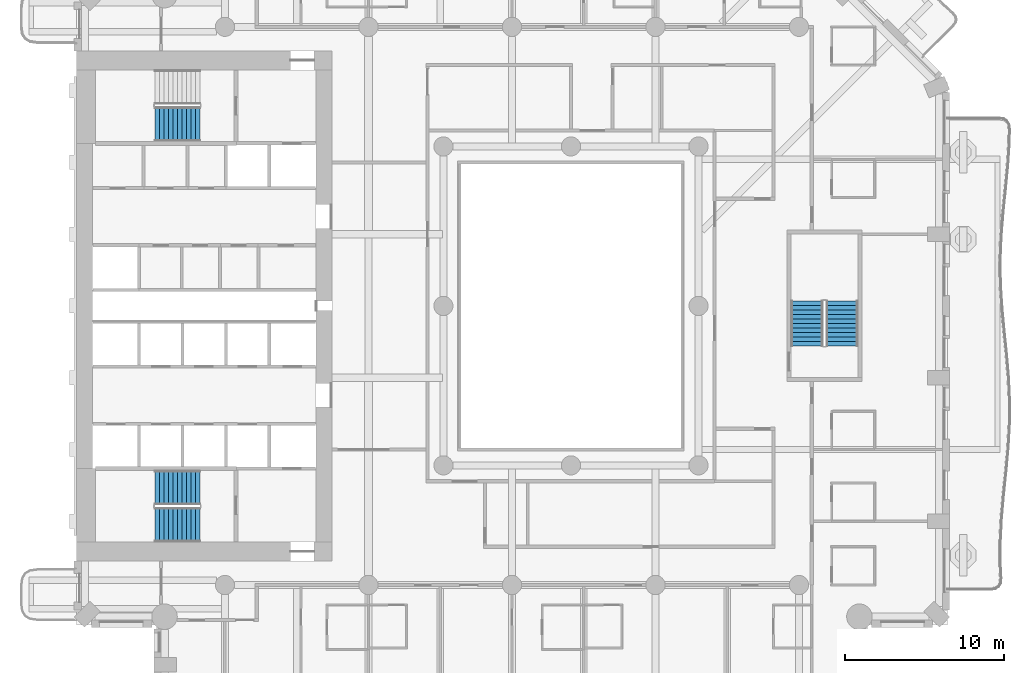
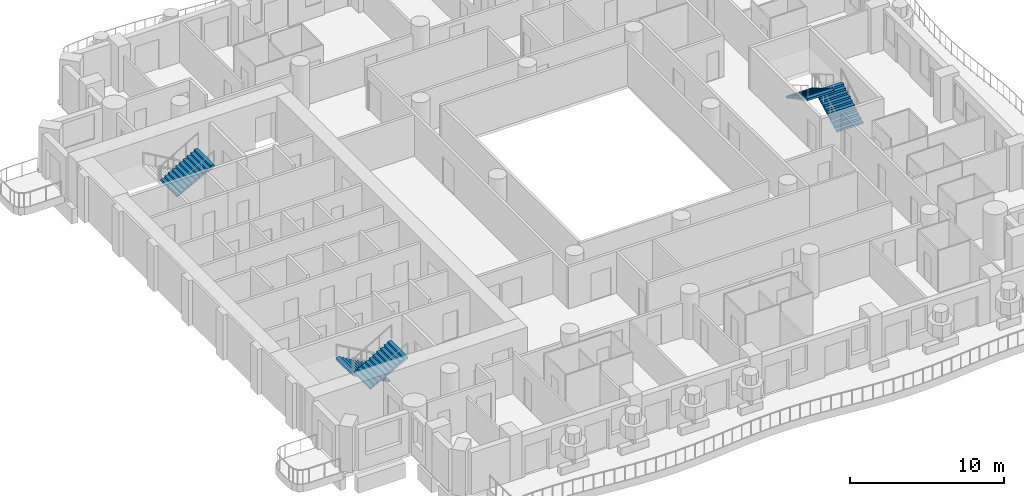
# One storey, part 11 of 20: 5 stair flights, 3 elements without a shape of their own.
"""IFC4 building model written with IfcOpenShell, lengths in metres."""

import ifcopenshell
import ifcopenshell.guid

model = None  # the IFC model being written
_history = None  # IfcOwnerHistory: only IFC2X3 demands one
_inside = {}  # id of a spatial element -> (the spatial element, [elements in it])
_under = {}  # id of a project, library or spatial element -> (it, [spatial elements below it])
_declared = {}  # id of a project -> (the project, [libraries it declares])
_typed = {}  # id of a type object -> (the type object, [elements of that type])
_made_of = {}  # id of a material, layer set ... -> (it, [elements and type objects made of it])


def new_model(schema):
    """Start an empty IFC model of exactly this schema.

    Asked for "IFC4X3", IfcOpenShell would pick the latest addendum, in which some entities
    have other attributes; the version numbers below select the first issue.
    IFC2X3 requires an IfcOwnerHistory on every rooted entity: one is made here for all.
    """
    global model, _history
    if schema == "IFC4X3":
        model = ifcopenshell.file(schema_version=(4, 3, 0, 0))
    else:
        model = ifcopenshell.file(schema=schema)
    _inside.clear()
    _under.clear()
    _declared.clear()
    _typed.clear()
    _made_of.clear()
    _history = None
    if model.schema == "IFC2X3":
        org = make("IfcOrganization", Name="unknown")
        user = make(
            "IfcPersonAndOrganization",
            ThePerson=make("IfcPerson", FamilyName="unknown"),
            TheOrganization=org,
        )
        app = make(
            "IfcApplication",
            ApplicationDeveloper=org,
            Version="unknown",
            ApplicationFullName="unknown",
            ApplicationIdentifier="unknown",
        )
        _history = make(
            "IfcOwnerHistory",
            OwningUser=user,
            OwningApplication=app,
            ChangeAction="ADDED",
            CreationDate=0,
        )
    return model


def make(cls, **values):
    """One entity of the class cls with the attributes given. An attribute that is None is left unset."""
    return model.create_entity(
        cls, **{name: value for name, value in values.items() if value is not None}
    )


def rooted(cls, **values):
    """An entity with a GlobalId (a new one), such as an element, a storey or a relation."""
    return make(cls, GlobalId=ifcopenshell.guid.new(), OwnerHistory=_history, **values)


def si_unit(unit_type, name, prefix=None):
    """IfcSIUnit, for example si_unit("LENGTHUNIT", "METRE", prefix="MILLI")."""
    return make("IfcSIUnit", UnitType=unit_type, Prefix=prefix, Name=name)


def assignment(units):
    """IfcUnitAssignment: the units of a project."""
    return None if units is None else make("IfcUnitAssignment", Units=units)


def point(xyz):
    """IfcCartesianPoint."""
    return None if xyz is None else make("IfcCartesianPoint", Coordinates=xyz)


def direction(xyz):
    """IfcDirection."""
    return None if xyz is None else make("IfcDirection", DirectionRatios=xyz)


def frame(location, z_axis=None, x_axis=None):
    """IfcAxis2Placement3D, a coordinate frame: its origin and axes. An axis left out is left unset."""
    return make(
        "IfcAxis2Placement3D",
        Location=point(location),
        Axis=direction(z_axis),
        RefDirection=direction(x_axis),
    )


def origin():
    """The frame at (0, 0, 0) with its axes left unset."""
    return frame((0.0, 0.0, 0.0))


def place(relative_to, where):
    """IfcLocalPlacement: puts the frame where relative to a parent placement (None: the world)."""
    return make(
        "IfcLocalPlacement", PlacementRelTo=relative_to, RelativePlacement=where
    )


def context(
    kind, dimensions, precision=None, world=None, true_north=None, identifier=None
):
    """IfcGeometricRepresentationContext, for example the 3D "Model" context."""
    return make(
        "IfcGeometricRepresentationContext",
        ContextIdentifier=identifier,
        ContextType=kind,
        CoordinateSpaceDimension=dimensions,
        Precision=precision,
        WorldCoordinateSystem=world,
        TrueNorth=true_north,
    )


def subcontext(parent, identifier, kind, view, scale=None):
    """IfcGeometricRepresentationSubContext, for example "Body" below "Model"."""
    return make(
        "IfcGeometricRepresentationSubContext",
        ContextIdentifier=identifier,
        ContextType=kind,
        ParentContext=parent,
        TargetScale=scale,
        TargetView=view,
    )


def project(units=None, contexts=None):
    """IfcProject with its units and contexts."""
    return rooted(
        "IfcProject",
        Name="project",
        RepresentationContexts=contexts,
        UnitsInContext=assignment(units),
    )


def spatial(cls, under=None, at=None, **own):
    """A site, building, storey or space (cls), placed at a placement, below another one or the project."""
    s = rooted(cls, ObjectPlacement=at, **own)
    if under is not None:
        _under.setdefault(under.id(), (under, []))[1].append(s)
    return s


def point_list(points):
    """IfcCartesianPointList2D or 3D."""
    cls = (
        "IfcCartesianPointList2D" if len(points[0]) == 2 else "IfcCartesianPointList3D"
    )
    return make(cls, CoordList=points)


def triangles(points, corners, closed=None, point_numbers=None):
    """IfcTriangulatedFaceSet: each triangle names its three corners, points numbered from 1."""
    return make(
        "IfcTriangulatedFaceSet",
        Coordinates=point_list(points),
        Closed=closed,
        CoordIndex=corners,
        PnIndex=point_numbers,
    )


def shape(context_of_items, identifier, shape_type, items):
    """IfcShapeRepresentation: the items that make up one representation, for example the "Body"."""
    return make(
        "IfcShapeRepresentation",
        ContextOfItems=context_of_items,
        RepresentationIdentifier=identifier,
        RepresentationType=shape_type,
        Items=items,
    )


def material(Name=None, Category=None):
    """IfcMaterial."""
    return make("IfcMaterial", Name=Name, Category=Category)


def made_of(thing, what):
    """Note that an element or type object is made of a material, layer set ...; save() writes the relation."""
    if what is not None:
        _made_of.setdefault(what.id(), (what, []))[1].append(thing)
    return thing


def type_object(cls, material=None, **own):
    """A type object (cls), such as IfcWallType, which elements share."""
    return made_of(rooted(cls, **own), material)


def element(
    cls,
    number,
    at=None,
    inside=None,
    cuts=None,
    type_object=None,
    material=None,
    context=None,
    identifier="Body",
    shape_type=None,
    held_by="IfcProductDefinitionShape",
    body=None,
    shapes=None,
    **own,
):
    """One element of the class cls, such as IfcWall. Its Tag is "e" and its number.

    at: its placement. inside: the storey or other place that contains it. cuts: it is an
    opening in that element (IfcRelVoidsElement). A single representation is given by context,
    identifier, shape_type and body (its items); several are given by shapes. held_by: the class
    of the entity that holds the representations. save() writes the other relations.
    """
    e = rooted(cls, Tag="e%d" % number, ObjectPlacement=at, **own)
    if body is not None:
        shapes = [shape(context, identifier, shape_type, body)]
    if shapes is not None:
        e.Representation = make(held_by, Representations=shapes)
    if inside is not None:
        _inside.setdefault(inside.id(), (inside, []))[1].append(e)
    if cuts is not None:
        rooted(
            "IfcRelVoidsElement", RelatingBuildingElement=cuts, RelatedOpeningElement=e
        )
    if type_object is not None:
        _typed.setdefault(type_object.id(), (type_object, []))[1].append(e)
    return made_of(e, material)


def aggregate(whole, parts):
    """IfcRelAggregates: a whole, such as a stair, and the parts it consists of."""
    return rooted("IfcRelAggregates", RelatingObject=whole, RelatedObjects=parts)


def save(model, path):
    """Write the relations noted so far, then the file.

    IfcRelAggregates (storeys below a building ...), IfcRelContainedInSpatialStructure (elements
    in a storey), IfcRelDefinesByType, IfcRelAssociatesMaterial and IfcRelDeclares: one each for
    every whole, place, type object, material and project.
    """
    for whole, parts in _under.values():
        aggregate(whole, parts)
    for where, things in _inside.values():
        rooted(
            "IfcRelContainedInSpatialStructure",
            RelatedElements=things,
            RelatingStructure=where,
        )
    for kind, things in _typed.values():
        rooted("IfcRelDefinesByType", RelatedObjects=things, RelatingType=kind)
    for what, things in _made_of.values():
        rooted("IfcRelAssociatesMaterial", RelatedObjects=things, RelatingMaterial=what)
    for by, libraries in _declared.values():
        rooted("IfcRelDeclares", RelatingContext=by, RelatedDefinitions=libraries)
    model.write(path)


model = new_model("IFC4")

# Units and contexts
model_context = context("Model", 3, precision=1e-05, world=origin(), true_north=direction((0.0, 1.0)))
body_context = subcontext(model_context, "Body", "Model", "MODEL_VIEW")
ifc_project = project(units=[si_unit("LENGTHUNIT", "METRE"), si_unit("AREAUNIT", "SQUARE_METRE"), si_unit("VOLUMEUNIT", "CUBIC_METRE"), si_unit("PLANEANGLEUNIT", "RADIAN"), si_unit("MASSUNIT", "GRAM", prefix="KILO")], contexts=[model_context])

# Site, building, storey
site_placement = place(None, origin())
site = spatial("IfcSite", under=ifc_project, at=site_placement, CompositionType="ELEMENT")
building_placement = place(site_placement, origin())
building = spatial("IfcBuilding", under=site, at=building_placement, Name="Cypress Arch Tower", CompositionType="ELEMENT")
storey_placement = place(building_placement, frame((0.0, 0.0, 84.300048828125)))
storey = spatial("IfcBuildingStorey", under=building, at=storey_placement, Name="L15", CompositionType="ELEMENT", Elevation=84.300048828125)

# Stair, stair flights
ifc_material_1 = material(Name="Concrete C40/50", Category="concrete")
stair_type_1 = type_object("IfcStairType", Name="Exit stair ES1636-200", PredefinedType="HALF_TURN_STAIR", material=ifc_material_1)
stair_1_placement = place(storey_placement, origin())
stair_1 = element("IfcStair", 1, at=stair_1_placement, inside=storey, type_object=stair_type_1, Name="L15 Exit stair C", PredefinedType="HALF_TURN_STAIR")
ifc_material_2 = material(Name="Concrete C40/50", Category="concrete")
stair_flight_type_1 = type_object("IfcStairFlightType", Name="Exit stair flight ES1636-200", PredefinedType="STRAIGHT", material=ifc_material_2)
stair_flight_1_placement = place(storey_placement, frame((18.0, -2.5, 0.0), z_axis=(0.0, 0.0, 1.0), x_axis=(0.0, 1.0, 0.0)))
stair_flight_1 = element("IfcStairFlight", 2, at=stair_flight_1_placement, type_object=stair_flight_type_1, Name="C flight 1", NumberOfRisers=11, NumberOfTreads=10, PredefinedType="STRAIGHT", RiserHeight=0.163636364, TreadLength=0.28, context=body_context, shape_type="Tessellation", body=[
    triangles([(0.0, -1.0, 0.0), (0.00048828125, -1.0, 0.054443359375), (0.00048828125, -1.0, 0.109130859375), (0.0, -1.0, 0.16357421875), (0.280029296875, -1.0, 0.16357421875), (0.280029296875, -1.0, 0.327392578125), (0.56005859375, -1.0, 0.327392578125), (0.56005859375, -1.0, 0.490966796875), (0.840087890625, -1.0, 0.490966796875), (0.840087890625, -1.0, 0.654541015625), (1.1201171875, -1.0, 0.654541015625), (1.1201171875, -1.0, 0.818115234375), (1.39990234375, -1.0, 0.818115234375), (1.39990234375, -1.0, 0.98193359375), (1.679931640625, -1.0, 0.98193359375), (1.679931640625, -1.0, 1.1455078125), (1.9599609375, -1.0, 1.1455078125), (1.9599609375, -1.0, 1.30908203125), (2.239990234375, -1.0, 1.30908203125), (2.239990234375, -1.0, 1.47265625), (2.52001953125, -1.0, 1.47265625), (2.52001953125, -1.0, 1.636474609375), (2.800048828125, -1.0, 1.636474609375), (2.799560546875, -1.0, 1.57861328125), (2.799560546875, -1.0, 1.5205078125), (2.800048828125, -1.0, 1.462646484375), (2.800048828125, 1.0, 1.462646484375), (2.799560546875, 1.0, 1.5205078125), (2.799560546875, 1.0, 1.57861328125), (2.800048828125, 1.0, 1.636474609375), (2.52001953125, 1.0, 1.636474609375), (2.52001953125, 1.0, 1.47265625), (2.239990234375, 1.0, 1.47265625), (2.239990234375, 1.0, 1.30908203125), (1.9599609375, 1.0, 1.30908203125), (1.9599609375, 1.0, 1.1455078125), (1.679931640625, 1.0, 1.1455078125), (1.679931640625, 1.0, 0.98193359375), (1.39990234375, 1.0, 0.98193359375), (1.39990234375, 1.0, 0.818115234375), (1.1201171875, 1.0, 0.818115234375), (1.1201171875, 1.0, 0.654541015625), (0.840087890625, 1.0, 0.654541015625), (0.840087890625, 1.0, 0.490966796875), (0.56005859375, 1.0, 0.490966796875), (0.56005859375, 1.0, 0.327392578125), (0.280029296875, 1.0, 0.327392578125), (0.280029296875, 1.0, 0.16357421875), (0.0, 1.0, 0.16357421875), (0.00048828125, 1.0, 0.109130859375), (0.00048828125, 1.0, 0.054443359375), (0.0, 1.0, 0.0), (2.799560546875, 0.0, 1.5205078125), (2.800048828125, 0.0, 1.462646484375), (2.799560546875, 0.0, 1.57861328125), (2.800048828125, 0.0, 1.636474609375), (2.52001953125, 0.0, 1.636474609375), (2.52001953125, 0.0, 1.47265625), (2.239990234375, 0.0, 1.47265625), (2.239990234375, 0.0, 1.30908203125), (1.9599609375, 0.0, 1.30908203125), (1.9599609375, 0.0, 1.1455078125), (1.679931640625, 0.0, 1.1455078125), (1.679931640625, 0.0, 0.98193359375), (1.39990234375, 0.0, 0.98193359375), (1.39990234375, 0.0, 0.818115234375), (1.1201171875, 0.0, 0.818115234375), (1.1201171875, 0.0, 0.654541015625), (0.840087890625, 0.0, 0.654541015625), (0.840087890625, 0.0, 0.490966796875), (0.56005859375, 0.0, 0.490966796875), (0.56005859375, 0.0, 0.327392578125), (0.280029296875, 0.0, 0.327392578125), (0.280029296875, 0.0, 0.16357421875), (0.0, 0.0, 0.16357421875), (0.00048828125, 0.0, 0.109130859375), (0.00048828125, 0.0, 0.054443359375), (0.0, 0.0, 0.0)], [[26, 25, 22], [25, 24, 22], [24, 23, 22], [15, 14, 13], [7, 6, 5], [13, 12, 11], [21, 20, 19], [19, 18, 17], [17, 16, 15], [11, 10, 9], [9, 8, 7], [4, 3, 5], [3, 2, 5], [2, 1, 5], [26, 22, 21], [26, 21, 19], [26, 19, 17], [26, 17, 15], [26, 15, 13], [26, 13, 11], [26, 11, 9], [26, 9, 7], [26, 7, 5], [26, 5, 1], [27, 31, 28], [28, 31, 29], [29, 31, 30], [38, 40, 39], [46, 48, 47], [40, 42, 41], [32, 34, 33], [34, 36, 35], [36, 38, 37], [42, 44, 43], [44, 46, 45], [49, 48, 50], [50, 48, 51], [51, 48, 52], [27, 32, 31], [27, 34, 32], [27, 36, 34], [27, 38, 36], [27, 40, 38], [27, 42, 40], [27, 44, 42], [27, 46, 44], [27, 48, 46], [27, 52, 48], [54, 53, 25], [54, 25, 26], [27, 28, 53], [27, 53, 54], [53, 55, 24], [53, 24, 25], [28, 29, 55], [28, 55, 53], [55, 56, 23], [55, 23, 24], [29, 30, 56], [29, 56, 55], [56, 57, 22], [56, 22, 23], [30, 31, 57], [30, 57, 56], [57, 58, 21], [57, 21, 22], [31, 32, 58], [31, 58, 57], [58, 59, 20], [58, 20, 21], [32, 33, 59], [32, 59, 58], [59, 60, 19], [59, 19, 20], [33, 34, 60], [33, 60, 59], [60, 61, 18], [60, 18, 19], [34, 35, 61], [34, 61, 60], [61, 62, 17], [61, 17, 18], [35, 36, 62], [35, 62, 61], [62, 63, 16], [62, 16, 17], [36, 37, 63], [36, 63, 62], [63, 64, 15], [63, 15, 16], [37, 38, 64], [37, 64, 63], [64, 65, 14], [64, 14, 15], [38, 39, 65], [38, 65, 64], [65, 66, 13], [65, 13, 14], [39, 40, 66], [39, 66, 65], [66, 67, 12], [66, 12, 13], [40, 41, 67], [40, 67, 66], [67, 68, 11], [67, 11, 12], [41, 42, 68], [41, 68, 67], [68, 69, 10], [68, 10, 11], [42, 43, 69], [42, 69, 68], [69, 70, 9], [69, 9, 10], [43, 44, 70], [43, 70, 69], [70, 71, 8], [70, 8, 9], [44, 45, 71], [44, 71, 70], [71, 72, 7], [71, 7, 8], [45, 46, 72], [45, 72, 71], [72, 73, 6], [72, 6, 7], [46, 47, 73], [46, 73, 72], [73, 74, 5], [73, 5, 6], [47, 48, 74], [47, 74, 73], [74, 75, 4], [74, 4, 5], [48, 49, 75], [48, 75, 74], [75, 76, 3], [75, 3, 4], [49, 50, 76], [49, 76, 75], [76, 77, 2], [76, 2, 3], [50, 51, 77], [50, 77, 76], [77, 78, 1], [77, 1, 2], [51, 52, 78], [51, 78, 77], [78, 54, 26], [78, 26, 1], [52, 27, 54], [52, 54, 78]], closed=True),
])
stair_flight_2_placement = place(storey_placement, frame((15.800048828125, 0.300048828125, 1.800048828125), z_axis=(0.0, 0.0, 1.0), x_axis=(0.0, -1.0, 0.0)))
stair_flight_2 = element("IfcStairFlight", 3, at=stair_flight_2_placement, type_object=stair_flight_type_1, Name="C flight 2", NumberOfRisers=11, NumberOfTreads=10, PredefinedType="STRAIGHT", RiserHeight=0.163636364, TreadLength=0.28, context=body_context, shape_type="Tessellation", body=[
    triangles([(0.0, -1.0, 0.0), (0.00048828125, -1.0, 0.054443359375), (0.00048828125, -1.0, 0.109130859375), (0.0, -1.0, 0.16357421875), (0.280029296875, -1.0, 0.16357421875), (0.280029296875, -1.0, 0.327392578125), (0.56005859375, -1.0, 0.327392578125), (0.56005859375, -1.0, 0.490966796875), (0.840087890625, -1.0, 0.490966796875), (0.840087890625, -1.0, 0.654541015625), (1.1201171875, -1.0, 0.654541015625), (1.1201171875, -1.0, 0.818115234375), (1.39990234375, -1.0, 0.818115234375), (1.39990234375, -1.0, 0.98193359375), (1.679931640625, -1.0, 0.98193359375), (1.679931640625, -1.0, 1.1455078125), (1.9599609375, -1.0, 1.1455078125), (1.9599609375, -1.0, 1.30908203125), (2.239990234375, -1.0, 1.30908203125), (2.239990234375, -1.0, 1.47265625), (2.52001953125, -1.0, 1.47265625), (2.52001953125, -1.0, 1.636474609375), (2.800048828125, -1.0, 1.636474609375), (2.799560546875, -1.0, 1.57861328125), (2.799560546875, -1.0, 1.5205078125), (2.800048828125, -1.0, 1.462646484375), (2.800048828125, 1.0, 1.462646484375), (2.799560546875, 1.0, 1.5205078125), (2.799560546875, 1.0, 1.57861328125), (2.800048828125, 1.0, 1.636474609375), (2.52001953125, 1.0, 1.636474609375), (2.52001953125, 1.0, 1.47265625), (2.239990234375, 1.0, 1.47265625), (2.239990234375, 1.0, 1.30908203125), (1.9599609375, 1.0, 1.30908203125), (1.9599609375, 1.0, 1.1455078125), (1.679931640625, 1.0, 1.1455078125), (1.679931640625, 1.0, 0.98193359375), (1.39990234375, 1.0, 0.98193359375), (1.39990234375, 1.0, 0.818115234375), (1.1201171875, 1.0, 0.818115234375), (1.1201171875, 1.0, 0.654541015625), (0.840087890625, 1.0, 0.654541015625), (0.840087890625, 1.0, 0.490966796875), (0.56005859375, 1.0, 0.490966796875), (0.56005859375, 1.0, 0.327392578125), (0.280029296875, 1.0, 0.327392578125), (0.280029296875, 1.0, 0.16357421875), (0.0, 1.0, 0.16357421875), (0.00048828125, 1.0, 0.109130859375), (0.00048828125, 1.0, 0.054443359375), (0.0, 1.0, 0.0), (2.799560546875, 0.0, 1.5205078125), (2.800048828125, 0.0, 1.462646484375), (2.799560546875, 0.0, 1.57861328125), (2.800048828125, 0.0, 1.636474609375), (2.52001953125, 0.0, 1.636474609375), (2.52001953125, 0.0, 1.47265625), (2.239990234375, 0.0, 1.47265625), (2.239990234375, 0.0, 1.30908203125), (1.9599609375, 0.0, 1.30908203125), (1.9599609375, 0.0, 1.1455078125), (1.679931640625, 0.0, 1.1455078125), (1.679931640625, 0.0, 0.98193359375), (1.39990234375, 0.0, 0.98193359375), (1.39990234375, 0.0, 0.818115234375), (1.1201171875, 0.0, 0.818115234375), (1.1201171875, 0.0, 0.654541015625), (0.840087890625, 0.0, 0.654541015625), (0.840087890625, 0.0, 0.490966796875), (0.56005859375, 0.0, 0.490966796875), (0.56005859375, 0.0, 0.327392578125), (0.280029296875, 0.0, 0.327392578125), (0.280029296875, 0.0, 0.16357421875), (0.0, 0.0, 0.16357421875), (0.00048828125, 0.0, 0.109130859375), (0.00048828125, 0.0, 0.054443359375), (0.0, 0.0, 0.0)], [[26, 25, 22], [25, 24, 22], [24, 23, 22], [15, 14, 13], [7, 6, 5], [13, 12, 11], [21, 20, 19], [19, 18, 17], [17, 16, 15], [11, 10, 9], [9, 8, 7], [4, 3, 5], [3, 2, 5], [2, 1, 5], [26, 22, 21], [26, 21, 19], [26, 19, 17], [26, 17, 15], [26, 15, 13], [26, 13, 11], [26, 11, 9], [26, 9, 7], [26, 7, 5], [26, 5, 1], [27, 31, 28], [28, 31, 29], [29, 31, 30], [38, 40, 39], [46, 48, 47], [40, 42, 41], [32, 34, 33], [34, 36, 35], [36, 38, 37], [42, 44, 43], [44, 46, 45], [49, 48, 50], [50, 48, 51], [51, 48, 52], [27, 32, 31], [27, 34, 32], [27, 36, 34], [27, 38, 36], [27, 40, 38], [27, 42, 40], [27, 44, 42], [27, 46, 44], [27, 48, 46], [27, 52, 48], [54, 53, 25], [54, 25, 26], [27, 28, 53], [27, 53, 54], [53, 55, 24], [53, 24, 25], [28, 29, 55], [28, 55, 53], [55, 56, 23], [55, 23, 24], [29, 30, 56], [29, 56, 55], [56, 57, 22], [56, 22, 23], [30, 31, 57], [30, 57, 56], [57, 58, 21], [57, 21, 22], [31, 32, 58], [31, 58, 57], [58, 59, 20], [58, 20, 21], [32, 33, 59], [32, 59, 58], [59, 60, 19], [59, 19, 20], [33, 34, 60], [33, 60, 59], [60, 61, 18], [60, 18, 19], [34, 35, 61], [34, 61, 60], [61, 62, 17], [61, 17, 18], [35, 36, 62], [35, 62, 61], [62, 63, 16], [62, 16, 17], [36, 37, 63], [36, 63, 62], [63, 64, 15], [63, 15, 16], [37, 38, 64], [37, 64, 63], [64, 65, 14], [64, 14, 15], [38, 39, 65], [38, 65, 64], [65, 66, 13], [65, 13, 14], [39, 40, 66], [39, 66, 65], [66, 67, 12], [66, 12, 13], [40, 41, 67], [40, 67, 66], [67, 68, 11], [67, 11, 12], [41, 42, 68], [41, 68, 67], [68, 69, 10], [68, 10, 11], [42, 43, 69], [42, 69, 68], [69, 70, 9], [69, 9, 10], [43, 44, 70], [43, 70, 69], [70, 71, 8], [70, 8, 9], [44, 45, 71], [44, 71, 70], [71, 72, 7], [71, 7, 8], [45, 46, 72], [45, 72, 71], [72, 73, 6], [72, 6, 7], [46, 47, 73], [46, 73, 72], [73, 74, 5], [73, 5, 6], [47, 48, 74], [47, 74, 73], [74, 75, 4], [74, 4, 5], [48, 49, 75], [48, 75, 74], [75, 76, 3], [75, 3, 4], [49, 50, 76], [49, 76, 75], [76, 77, 2], [76, 2, 3], [50, 51, 77], [50, 77, 76], [77, 78, 1], [77, 1, 2], [51, 52, 78], [51, 78, 77], [78, 54, 26], [78, 26, 1], [52, 27, 54], [52, 54, 78]], closed=True),
])
aggregate(stair_1, [stair_flight_1, stair_flight_2])

ifc_material_3 = material(Name="Concrete C40/50", Category="concrete")
stair_type_2 = type_object("IfcStairType", Name="Exit stair ES1636-215", PredefinedType="HALF_TURN_STAIR", material=ifc_material_3)
stair_2_placement = place(storey_placement, origin())
stair_2 = element("IfcStair", 4, at=stair_2_placement, inside=storey, type_object=stair_type_2, Name="L15 Exit stair A", PredefinedType="HALF_TURN_STAIR")
ifc_material_4 = material(Name="Concrete C40/50", Category="concrete")
stair_flight_type_2 = type_object("IfcStairFlightType", Name="Exit stair flight ES1636-215", PredefinedType="STRAIGHT", material=ifc_material_4)
stair_flight_3_placement = place(storey_placement, frame((-22.27490234375, -11.39990234375, 0.0), z_axis=(0.0, 0.0, 1.0), x_axis=(-1.0, 0.0, 0.0)))
stair_flight_3 = element("IfcStairFlight", 5, at=stair_flight_3_placement, type_object=stair_flight_type_2, Name="A flight 1", NumberOfRisers=11, NumberOfTreads=10, PredefinedType="STRAIGHT", RiserHeight=0.163636364, TreadLength=0.28, context=body_context, shape_type="Tessellation", body=[
    triangles([(0.0, -1.074951171875, 0.0), (0.000244140625, -1.074951171875, 0.03271484375), (0.00048828125, -1.074951171875, 0.0654296875), (0.00048828125, -1.074951171875, 0.09814453125), (0.000244140625, -1.074951171875, 0.130859375), (0.0, -1.074951171875, 0.16357421875), (0.280029296875, -1.074951171875, 0.16357421875), (0.280029296875, -1.074951171875, 0.327392578125), (0.56005859375, -1.074951171875, 0.327392578125), (0.56005859375, -1.074951171875, 0.490966796875), (0.840087890625, -1.074951171875, 0.490966796875), (0.840087890625, -1.074951171875, 0.654541015625), (1.1201171875, -1.074951171875, 0.654541015625), (1.1201171875, -1.074951171875, 0.818115234375), (1.39990234375, -1.074951171875, 0.818115234375), (1.39990234375, -1.074951171875, 0.98193359375), (1.679931640625, -1.074951171875, 0.98193359375), (1.679931640625, -1.074951171875, 1.1455078125), (1.9599609375, -1.074951171875, 1.1455078125), (1.9599609375, -1.074951171875, 1.30908203125), (2.239990234375, -1.074951171875, 1.30908203125), (2.239990234375, -1.074951171875, 1.47265625), (2.52001953125, -1.074951171875, 1.47265625), (2.52001953125, -1.074951171875, 1.636474609375), (2.800048828125, -1.074951171875, 1.636474609375), (2.7998046875, -1.074951171875, 1.601806640625), (2.799560546875, -1.074951171875, 1.56689453125), (2.799560546875, -1.074951171875, 1.5322265625), (2.7998046875, -1.074951171875, 1.497314453125), (2.800048828125, -1.074951171875, 1.462646484375), (2.800048828125, 1.074951171875, 1.462646484375), (2.7998046875, 1.074951171875, 1.497314453125), (2.799560546875, 1.074951171875, 1.5322265625), (2.799560546875, 1.074951171875, 1.56689453125), (2.7998046875, 1.074951171875, 1.601806640625), (2.800048828125, 1.074951171875, 1.636474609375), (2.52001953125, 1.074951171875, 1.636474609375), (2.52001953125, 1.074951171875, 1.47265625), (2.239990234375, 1.074951171875, 1.47265625), (2.239990234375, 1.074951171875, 1.30908203125), (1.9599609375, 1.074951171875, 1.30908203125), (1.9599609375, 1.074951171875, 1.1455078125), (1.679931640625, 1.074951171875, 1.1455078125), (1.679931640625, 1.074951171875, 0.98193359375), (1.39990234375, 1.074951171875, 0.98193359375), (1.39990234375, 1.074951171875, 0.818115234375), (1.1201171875, 1.074951171875, 0.818115234375), (1.1201171875, 1.074951171875, 0.654541015625), (0.840087890625, 1.074951171875, 0.654541015625), (0.840087890625, 1.074951171875, 0.490966796875), (0.56005859375, 1.074951171875, 0.490966796875), (0.56005859375, 1.074951171875, 0.327392578125), (0.280029296875, 1.074951171875, 0.327392578125), (0.280029296875, 1.074951171875, 0.16357421875), (0.0, 1.074951171875, 0.16357421875), (0.000244140625, 1.074951171875, 0.130859375), (0.00048828125, 1.074951171875, 0.09814453125), (0.00048828125, 1.074951171875, 0.0654296875), (0.000244140625, 1.074951171875, 0.03271484375), (0.0, 1.074951171875, 0.0), (2.7998046875, 0.0, 1.497314453125), (2.800048828125, 0.0, 1.462646484375), (2.799560546875, 0.0, 1.5322265625), (2.799560546875, 0.0, 1.56689453125), (2.7998046875, 0.0, 1.601806640625), (2.800048828125, 0.0, 1.636474609375), (2.52001953125, 0.0, 1.636474609375), (2.52001953125, 0.0, 1.47265625), (2.239990234375, 0.0, 1.47265625), (2.239990234375, 0.0, 1.30908203125), (1.9599609375, 0.0, 1.30908203125), (1.9599609375, 0.0, 1.1455078125), (1.679931640625, 0.0, 1.1455078125), (1.679931640625, 0.0, 0.98193359375), (1.39990234375, 0.0, 0.98193359375), (1.39990234375, 0.0, 0.818115234375), (1.1201171875, 0.0, 0.818115234375), (1.1201171875, 0.0, 0.654541015625), (0.840087890625, 0.0, 0.654541015625), (0.840087890625, 0.0, 0.490966796875), (0.56005859375, 0.0, 0.490966796875), (0.56005859375, 0.0, 0.327392578125), (0.280029296875, 0.0, 0.327392578125), (0.280029296875, 0.0, 0.16357421875), (0.0, 0.0, 0.16357421875), (0.000244140625, 0.0, 0.130859375), (0.00048828125, 0.0, 0.09814453125), (0.00048828125, 0.0, 0.0654296875), (0.000244140625, 0.0, 0.03271484375), (0.0, 0.0, 0.0)], [[30, 29, 24], [29, 28, 24], [28, 27, 24], [27, 26, 24], [26, 25, 24], [17, 16, 15], [9, 8, 7], [15, 14, 13], [23, 22, 21], [21, 20, 19], [19, 18, 17], [13, 12, 11], [11, 10, 9], [6, 5, 7], [5, 4, 7], [4, 3, 7], [3, 2, 7], [2, 1, 7], [30, 24, 23], [30, 23, 21], [30, 21, 19], [30, 19, 17], [30, 17, 15], [30, 15, 13], [30, 13, 11], [30, 11, 9], [30, 9, 7], [30, 7, 1], [31, 37, 32], [32, 37, 33], [33, 37, 34], [34, 37, 35], [35, 37, 36], [44, 46, 45], [52, 54, 53], [46, 48, 47], [38, 40, 39], [40, 42, 41], [42, 44, 43], [48, 50, 49], [50, 52, 51], [55, 54, 56], [56, 54, 57], [57, 54, 58], [58, 54, 59], [59, 54, 60], [31, 38, 37], [31, 40, 38], [31, 42, 40], [31, 44, 42], [31, 46, 44], [31, 48, 46], [31, 50, 48], [31, 52, 50], [31, 54, 52], [31, 60, 54], [62, 61, 29], [62, 29, 30], [31, 32, 61], [31, 61, 62], [61, 63, 28], [61, 28, 29], [32, 33, 63], [32, 63, 61], [63, 64, 27], [63, 27, 28], [33, 34, 64], [33, 64, 63], [64, 65, 26], [64, 26, 27], [34, 35, 65], [34, 65, 64], [65, 66, 25], [65, 25, 26], [35, 36, 66], [35, 66, 65], [66, 67, 24], [66, 24, 25], [36, 37, 67], [36, 67, 66], [67, 68, 23], [67, 23, 24], [37, 38, 68], [37, 68, 67], [68, 69, 22], [68, 22, 23], [38, 39, 69], [38, 69, 68], [69, 70, 21], [69, 21, 22], [39, 40, 70], [39, 70, 69], [70, 71, 20], [70, 20, 21], [40, 41, 71], [40, 71, 70], [71, 72, 19], [71, 19, 20], [41, 42, 72], [41, 72, 71], [72, 73, 18], [72, 18, 19], [42, 43, 73], [42, 73, 72], [73, 74, 17], [73, 17, 18], [43, 44, 74], [43, 74, 73], [74, 75, 16], [74, 16, 17], [44, 45, 75], [44, 75, 74], [75, 76, 15], [75, 15, 16], [45, 46, 76], [45, 76, 75], [76, 77, 14], [76, 14, 15], [46, 47, 77], [46, 77, 76], [77, 78, 13], [77, 13, 14], [47, 48, 78], [47, 78, 77], [78, 79, 12], [78, 12, 13], [48, 49, 79], [48, 79, 78], [79, 80, 11], [79, 11, 12], [49, 50, 80], [49, 80, 79], [80, 81, 10], [80, 10, 11], [50, 51, 81], [50, 81, 80], [81, 82, 9], [81, 9, 10], [51, 52, 82], [51, 82, 81], [82, 83, 8], [82, 8, 9], [52, 53, 83], [52, 83, 82], [83, 84, 7], [83, 7, 8], [53, 54, 84], [53, 84, 83], [84, 85, 6], [84, 6, 7], [54, 55, 85], [54, 85, 84], [85, 86, 5], [85, 5, 6], [55, 56, 86], [55, 86, 85], [86, 87, 4], [86, 4, 5], [56, 57, 87], [56, 87, 86], [87, 88, 3], [87, 3, 4], [57, 58, 88], [57, 88, 87], [88, 89, 2], [88, 2, 3], [58, 59, 89], [58, 89, 88], [89, 90, 1], [89, 1, 2], [59, 60, 90], [59, 90, 89], [90, 62, 30], [90, 30, 1], [60, 31, 62], [60, 62, 90]], closed=True),
])
stair_flight_4_placement = place(storey_placement, frame((-25.074951171875, -13.72509765625, 1.800048828125), z_axis=(0.0, 0.0, 1.0), x_axis=(1.0, 0.0, 0.0)))
stair_flight_4 = element("IfcStairFlight", 6, at=stair_flight_4_placement, type_object=stair_flight_type_2, Name="A flight 2", NumberOfRisers=11, NumberOfTreads=10, PredefinedType="STRAIGHT", RiserHeight=0.163636364, TreadLength=0.28, context=body_context, shape_type="Tessellation", body=[
    triangles([(0.0, -1.074951171875, 0.0), (0.000244140625, -1.074951171875, 0.03271484375), (0.00048828125, -1.074951171875, 0.0654296875), (0.00048828125, -1.074951171875, 0.09814453125), (0.000244140625, -1.074951171875, 0.130859375), (0.0, -1.074951171875, 0.16357421875), (0.280029296875, -1.074951171875, 0.16357421875), (0.280029296875, -1.074951171875, 0.327392578125), (0.56005859375, -1.074951171875, 0.327392578125), (0.56005859375, -1.074951171875, 0.490966796875), (0.840087890625, -1.074951171875, 0.490966796875), (0.840087890625, -1.074951171875, 0.654541015625), (1.1201171875, -1.074951171875, 0.654541015625), (1.1201171875, -1.074951171875, 0.818115234375), (1.39990234375, -1.074951171875, 0.818115234375), (1.39990234375, -1.074951171875, 0.98193359375), (1.679931640625, -1.074951171875, 0.98193359375), (1.679931640625, -1.074951171875, 1.1455078125), (1.9599609375, -1.074951171875, 1.1455078125), (1.9599609375, -1.074951171875, 1.30908203125), (2.239990234375, -1.074951171875, 1.30908203125), (2.239990234375, -1.074951171875, 1.47265625), (2.52001953125, -1.074951171875, 1.47265625), (2.52001953125, -1.074951171875, 1.636474609375), (2.800048828125, -1.074951171875, 1.636474609375), (2.7998046875, -1.074951171875, 1.601806640625), (2.799560546875, -1.074951171875, 1.56689453125), (2.799560546875, -1.074951171875, 1.5322265625), (2.7998046875, -1.074951171875, 1.497314453125), (2.800048828125, -1.074951171875, 1.462646484375), (2.800048828125, 1.074951171875, 1.462646484375), (2.7998046875, 1.074951171875, 1.497314453125), (2.799560546875, 1.074951171875, 1.5322265625), (2.799560546875, 1.074951171875, 1.56689453125), (2.7998046875, 1.074951171875, 1.601806640625), (2.800048828125, 1.074951171875, 1.636474609375), (2.52001953125, 1.074951171875, 1.636474609375), (2.52001953125, 1.074951171875, 1.47265625), (2.239990234375, 1.074951171875, 1.47265625), (2.239990234375, 1.074951171875, 1.30908203125), (1.9599609375, 1.074951171875, 1.30908203125), (1.9599609375, 1.074951171875, 1.1455078125), (1.679931640625, 1.074951171875, 1.1455078125), (1.679931640625, 1.074951171875, 0.98193359375), (1.39990234375, 1.074951171875, 0.98193359375), (1.39990234375, 1.074951171875, 0.818115234375), (1.1201171875, 1.074951171875, 0.818115234375), (1.1201171875, 1.074951171875, 0.654541015625), (0.840087890625, 1.074951171875, 0.654541015625), (0.840087890625, 1.074951171875, 0.490966796875), (0.56005859375, 1.074951171875, 0.490966796875), (0.56005859375, 1.074951171875, 0.327392578125), (0.280029296875, 1.074951171875, 0.327392578125), (0.280029296875, 1.074951171875, 0.16357421875), (0.0, 1.074951171875, 0.16357421875), (0.000244140625, 1.074951171875, 0.130859375), (0.00048828125, 1.074951171875, 0.09814453125), (0.00048828125, 1.074951171875, 0.0654296875), (0.000244140625, 1.074951171875, 0.03271484375), (0.0, 1.074951171875, 0.0), (2.7998046875, 0.0, 1.497314453125), (2.800048828125, 0.0, 1.462646484375), (2.799560546875, 0.0, 1.5322265625), (2.799560546875, 0.0, 1.56689453125), (2.7998046875, 0.0, 1.601806640625), (2.800048828125, 0.0, 1.636474609375), (2.52001953125, 0.0, 1.636474609375), (2.52001953125, 0.0, 1.47265625), (2.239990234375, 0.0, 1.47265625), (2.239990234375, 0.0, 1.30908203125), (1.9599609375, 0.0, 1.30908203125), (1.9599609375, 0.0, 1.1455078125), (1.679931640625, 0.0, 1.1455078125), (1.679931640625, 0.0, 0.98193359375), (1.39990234375, 0.0, 0.98193359375), (1.39990234375, 0.0, 0.818115234375), (1.1201171875, 0.0, 0.818115234375), (1.1201171875, 0.0, 0.654541015625), (0.840087890625, 0.0, 0.654541015625), (0.840087890625, 0.0, 0.490966796875), (0.56005859375, 0.0, 0.490966796875), (0.56005859375, 0.0, 0.327392578125), (0.280029296875, 0.0, 0.327392578125), (0.280029296875, 0.0, 0.16357421875), (0.0, 0.0, 0.16357421875), (0.000244140625, 0.0, 0.130859375), (0.00048828125, 0.0, 0.09814453125), (0.00048828125, 0.0, 0.0654296875), (0.000244140625, 0.0, 0.03271484375), (0.0, 0.0, 0.0)], [[30, 29, 24], [29, 28, 24], [28, 27, 24], [27, 26, 24], [26, 25, 24], [17, 16, 15], [9, 8, 7], [15, 14, 13], [23, 22, 21], [21, 20, 19], [19, 18, 17], [13, 12, 11], [11, 10, 9], [6, 5, 7], [5, 4, 7], [4, 3, 7], [3, 2, 7], [2, 1, 7], [30, 24, 23], [30, 23, 21], [30, 21, 19], [30, 19, 17], [30, 17, 15], [30, 15, 13], [30, 13, 11], [30, 11, 9], [30, 9, 7], [30, 7, 1], [31, 37, 32], [32, 37, 33], [33, 37, 34], [34, 37, 35], [35, 37, 36], [44, 46, 45], [52, 54, 53], [46, 48, 47], [38, 40, 39], [40, 42, 41], [42, 44, 43], [48, 50, 49], [50, 52, 51], [55, 54, 56], [56, 54, 57], [57, 54, 58], [58, 54, 59], [59, 54, 60], [31, 38, 37], [31, 40, 38], [31, 42, 40], [31, 44, 42], [31, 46, 44], [31, 48, 46], [31, 50, 48], [31, 52, 50], [31, 54, 52], [31, 60, 54], [62, 61, 29], [62, 29, 30], [31, 32, 61], [31, 61, 62], [61, 63, 28], [61, 28, 29], [32, 33, 63], [32, 63, 61], [63, 64, 27], [63, 27, 28], [33, 34, 64], [33, 64, 63], [64, 65, 26], [64, 26, 27], [34, 35, 65], [34, 65, 64], [65, 66, 25], [65, 25, 26], [35, 36, 66], [35, 66, 65], [66, 67, 24], [66, 24, 25], [36, 37, 67], [36, 67, 66], [67, 68, 23], [67, 23, 24], [37, 38, 68], [37, 68, 67], [68, 69, 22], [68, 22, 23], [38, 39, 69], [38, 69, 68], [69, 70, 21], [69, 21, 22], [39, 40, 70], [39, 70, 69], [70, 71, 20], [70, 20, 21], [40, 41, 71], [40, 71, 70], [71, 72, 19], [71, 19, 20], [41, 42, 72], [41, 72, 71], [72, 73, 18], [72, 18, 19], [42, 43, 73], [42, 73, 72], [73, 74, 17], [73, 17, 18], [43, 44, 74], [43, 74, 73], [74, 75, 16], [74, 16, 17], [44, 45, 75], [44, 75, 74], [75, 76, 15], [75, 15, 16], [45, 46, 76], [45, 76, 75], [76, 77, 14], [76, 14, 15], [46, 47, 77], [46, 77, 76], [77, 78, 13], [77, 13, 14], [47, 48, 78], [47, 78, 77], [78, 79, 12], [78, 12, 13], [48, 49, 79], [48, 79, 78], [79, 80, 11], [79, 11, 12], [49, 50, 80], [49, 80, 79], [80, 81, 10], [80, 10, 11], [50, 51, 81], [50, 81, 80], [81, 82, 9], [81, 9, 10], [51, 52, 82], [51, 82, 81], [82, 83, 8], [82, 8, 9], [52, 53, 83], [52, 83, 82], [83, 84, 7], [83, 7, 8], [53, 54, 84], [53, 84, 83], [84, 85, 6], [84, 6, 7], [54, 55, 85], [54, 85, 84], [85, 86, 5], [85, 5, 6], [55, 56, 86], [55, 86, 85], [86, 87, 4], [86, 4, 5], [56, 57, 87], [56, 87, 86], [87, 88, 3], [87, 3, 4], [57, 58, 88], [57, 88, 87], [88, 89, 2], [88, 2, 3], [58, 59, 89], [58, 89, 88], [89, 90, 1], [89, 1, 2], [59, 60, 90], [59, 90, 89], [90, 62, 30], [90, 30, 1], [60, 31, 62], [60, 62, 90]], closed=True),
])
aggregate(stair_2, [stair_flight_3, stair_flight_4])

# Stair, stair flight
stair_3_placement = place(storey_placement, origin())
stair_3 = element("IfcStair", 7, at=stair_3_placement, inside=storey, type_object=stair_type_2, Name="L15 Exit stair B", PredefinedType="HALF_TURN_STAIR")
stair_flight_5_placement = place(storey_placement, frame((-25.074951171875, 11.39990234375, 1.800048828125), z_axis=(0.0, 0.0, 1.0), x_axis=(1.0, 0.0, 0.0)))
stair_flight_5 = element("IfcStairFlight", 8, at=stair_flight_5_placement, type_object=stair_flight_type_2, Name="B flight 2", NumberOfRisers=11, NumberOfTreads=10, PredefinedType="STRAIGHT", RiserHeight=0.163636364, TreadLength=0.28, context=body_context, shape_type="Tessellation", body=[
    triangles([(0.0, -1.074951171875, 0.0), (0.000244140625, -1.074951171875, 0.03271484375), (0.00048828125, -1.074951171875, 0.0654296875), (0.00048828125, -1.074951171875, 0.09814453125), (0.000244140625, -1.074951171875, 0.130859375), (0.0, -1.074951171875, 0.16357421875), (0.280029296875, -1.074951171875, 0.16357421875), (0.280029296875, -1.074951171875, 0.327392578125), (0.56005859375, -1.074951171875, 0.327392578125), (0.56005859375, -1.074951171875, 0.490966796875), (0.840087890625, -1.074951171875, 0.490966796875), (0.840087890625, -1.074951171875, 0.654541015625), (1.1201171875, -1.074951171875, 0.654541015625), (1.1201171875, -1.074951171875, 0.818115234375), (1.39990234375, -1.074951171875, 0.818115234375), (1.39990234375, -1.074951171875, 0.98193359375), (1.679931640625, -1.074951171875, 0.98193359375), (1.679931640625, -1.074951171875, 1.1455078125), (1.9599609375, -1.074951171875, 1.1455078125), (1.9599609375, -1.074951171875, 1.30908203125), (2.239990234375, -1.074951171875, 1.30908203125), (2.239990234375, -1.074951171875, 1.47265625), (2.52001953125, -1.074951171875, 1.47265625), (2.52001953125, -1.074951171875, 1.636474609375), (2.800048828125, -1.074951171875, 1.636474609375), (2.7998046875, -1.074951171875, 1.601806640625), (2.799560546875, -1.074951171875, 1.56689453125), (2.799560546875, -1.074951171875, 1.5322265625), (2.7998046875, -1.074951171875, 1.497314453125), (2.800048828125, -1.074951171875, 1.462646484375), (2.800048828125, 1.074951171875, 1.462646484375), (2.7998046875, 1.074951171875, 1.497314453125), (2.799560546875, 1.074951171875, 1.5322265625), (2.799560546875, 1.074951171875, 1.56689453125), (2.7998046875, 1.074951171875, 1.601806640625), (2.800048828125, 1.074951171875, 1.636474609375), (2.52001953125, 1.074951171875, 1.636474609375), (2.52001953125, 1.074951171875, 1.47265625), (2.239990234375, 1.074951171875, 1.47265625), (2.239990234375, 1.074951171875, 1.30908203125), (1.9599609375, 1.074951171875, 1.30908203125), (1.9599609375, 1.074951171875, 1.1455078125), (1.679931640625, 1.074951171875, 1.1455078125), (1.679931640625, 1.074951171875, 0.98193359375), (1.39990234375, 1.074951171875, 0.98193359375), (1.39990234375, 1.074951171875, 0.818115234375), (1.1201171875, 1.074951171875, 0.818115234375), (1.1201171875, 1.074951171875, 0.654541015625), (0.840087890625, 1.074951171875, 0.654541015625), (0.840087890625, 1.074951171875, 0.490966796875), (0.56005859375, 1.074951171875, 0.490966796875), (0.56005859375, 1.074951171875, 0.327392578125), (0.280029296875, 1.074951171875, 0.327392578125), (0.280029296875, 1.074951171875, 0.16357421875), (0.0, 1.074951171875, 0.16357421875), (0.000244140625, 1.074951171875, 0.130859375), (0.00048828125, 1.074951171875, 0.09814453125), (0.00048828125, 1.074951171875, 0.0654296875), (0.000244140625, 1.074951171875, 0.03271484375), (0.0, 1.074951171875, 0.0), (2.7998046875, 0.0, 1.497314453125), (2.800048828125, 0.0, 1.462646484375), (2.799560546875, 0.0, 1.5322265625), (2.799560546875, 0.0, 1.56689453125), (2.7998046875, 0.0, 1.601806640625), (2.800048828125, 0.0, 1.636474609375), (2.52001953125, 0.0, 1.636474609375), (2.52001953125, 0.0, 1.47265625), (2.239990234375, 0.0, 1.47265625), (2.239990234375, 0.0, 1.30908203125), (1.9599609375, 0.0, 1.30908203125), (1.9599609375, 0.0, 1.1455078125), (1.679931640625, 0.0, 1.1455078125), (1.679931640625, 0.0, 0.98193359375), (1.39990234375, 0.0, 0.98193359375), (1.39990234375, 0.0, 0.818115234375), (1.1201171875, 0.0, 0.818115234375), (1.1201171875, 0.0, 0.654541015625), (0.840087890625, 0.0, 0.654541015625), (0.840087890625, 0.0, 0.490966796875), (0.56005859375, 0.0, 0.490966796875), (0.56005859375, 0.0, 0.327392578125), (0.280029296875, 0.0, 0.327392578125), (0.280029296875, 0.0, 0.16357421875), (0.0, 0.0, 0.16357421875), (0.000244140625, 0.0, 0.130859375), (0.00048828125, 0.0, 0.09814453125), (0.00048828125, 0.0, 0.0654296875), (0.000244140625, 0.0, 0.03271484375), (0.0, 0.0, 0.0)], [[30, 29, 24], [29, 28, 24], [28, 27, 24], [27, 26, 24], [26, 25, 24], [17, 16, 15], [9, 8, 7], [15, 14, 13], [23, 22, 21], [21, 20, 19], [19, 18, 17], [13, 12, 11], [11, 10, 9], [6, 5, 7], [5, 4, 7], [4, 3, 7], [3, 2, 7], [2, 1, 7], [30, 24, 23], [30, 23, 21], [30, 21, 19], [30, 19, 17], [30, 17, 15], [30, 15, 13], [30, 13, 11], [30, 11, 9], [30, 9, 7], [30, 7, 1], [31, 37, 32], [32, 37, 33], [33, 37, 34], [34, 37, 35], [35, 37, 36], [44, 46, 45], [52, 54, 53], [46, 48, 47], [38, 40, 39], [40, 42, 41], [42, 44, 43], [48, 50, 49], [50, 52, 51], [55, 54, 56], [56, 54, 57], [57, 54, 58], [58, 54, 59], [59, 54, 60], [31, 38, 37], [31, 40, 38], [31, 42, 40], [31, 44, 42], [31, 46, 44], [31, 48, 46], [31, 50, 48], [31, 52, 50], [31, 54, 52], [31, 60, 54], [62, 61, 29], [62, 29, 30], [31, 32, 61], [31, 61, 62], [61, 63, 28], [61, 28, 29], [32, 33, 63], [32, 63, 61], [63, 64, 27], [63, 27, 28], [33, 34, 64], [33, 64, 63], [64, 65, 26], [64, 26, 27], [34, 35, 65], [34, 65, 64], [65, 66, 25], [65, 25, 26], [35, 36, 66], [35, 66, 65], [66, 67, 24], [66, 24, 25], [36, 37, 67], [36, 67, 66], [67, 68, 23], [67, 23, 24], [37, 38, 68], [37, 68, 67], [68, 69, 22], [68, 22, 23], [38, 39, 69], [38, 69, 68], [69, 70, 21], [69, 21, 22], [39, 40, 70], [39, 70, 69], [70, 71, 20], [70, 20, 21], [40, 41, 71], [40, 71, 70], [71, 72, 19], [71, 19, 20], [41, 42, 72], [41, 72, 71], [72, 73, 18], [72, 18, 19], [42, 43, 73], [42, 73, 72], [73, 74, 17], [73, 17, 18], [43, 44, 74], [43, 74, 73], [74, 75, 16], [74, 16, 17], [44, 45, 75], [44, 75, 74], [75, 76, 15], [75, 15, 16], [45, 46, 76], [45, 76, 75], [76, 77, 14], [76, 14, 15], [46, 47, 77], [46, 77, 76], [77, 78, 13], [77, 13, 14], [47, 48, 78], [47, 78, 77], [78, 79, 12], [78, 12, 13], [48, 49, 79], [48, 79, 78], [79, 80, 11], [79, 11, 12], [49, 50, 80], [49, 80, 79], [80, 81, 10], [80, 10, 11], [50, 51, 81], [50, 81, 80], [81, 82, 9], [81, 9, 10], [51, 52, 82], [51, 82, 81], [82, 83, 8], [82, 8, 9], [52, 53, 83], [52, 83, 82], [83, 84, 7], [83, 7, 8], [53, 54, 84], [53, 84, 83], [84, 85, 6], [84, 6, 7], [54, 55, 85], [54, 85, 84], [85, 86, 5], [85, 5, 6], [55, 56, 86], [55, 86, 85], [86, 87, 4], [86, 4, 5], [56, 57, 87], [56, 87, 86], [87, 88, 3], [87, 3, 4], [57, 58, 88], [57, 88, 87], [88, 89, 2], [88, 2, 3], [58, 59, 89], [58, 89, 88], [89, 90, 1], [89, 1, 2], [59, 60, 90], [59, 90, 89], [90, 62, 30], [90, 30, 1], [60, 31, 62], [60, 62, 90]], closed=True),
])
aggregate(stair_3, [stair_flight_5])

save(model, "model.ifc")
